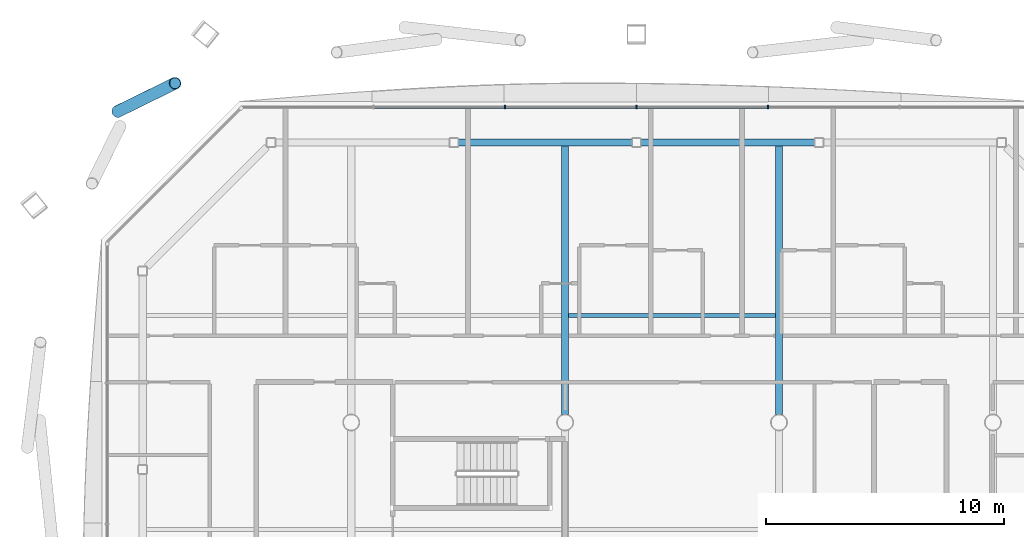
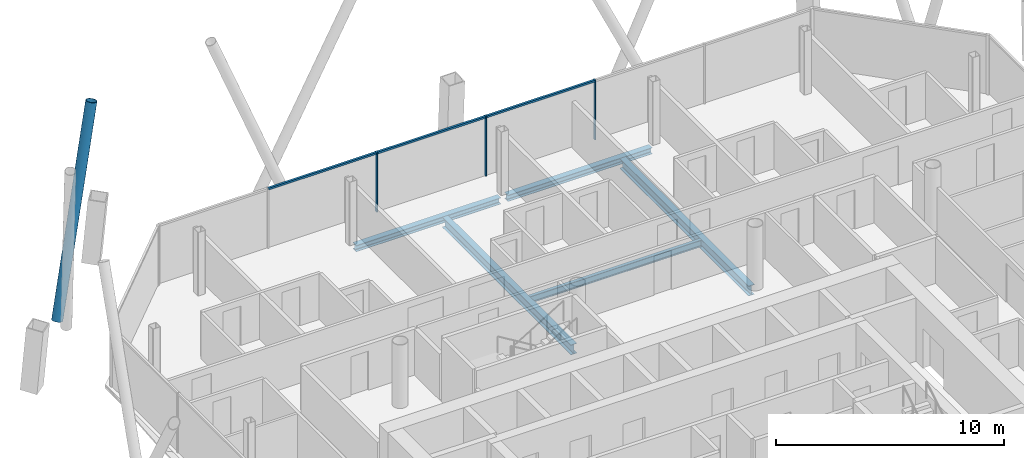
# One storey, part 10 of 23: 7 members, 5 beams, 1 element without a shape of its own.
"""IFC4 building model written with IfcOpenShell, lengths in metres."""

from ifc_helpers import new_model, si_unit, direction, frame, origin, origin_2d, place, context, subcontext, project, spatial, rectangle, hollow_circle, i_section, extrude, material, material_profile, profile_set, type_object, element, aggregate, save


model = new_model("IFC4")

# Units and contexts
model_context = context("Model", 3, precision=1e-05, world=origin(), true_north=direction((0.0, 1.0)))
body_context = subcontext(model_context, "Body", "Model", "MODEL_VIEW")
ifc_project = project(units=[si_unit("LENGTHUNIT", "METRE"), si_unit("AREAUNIT", "SQUARE_METRE"), si_unit("VOLUMEUNIT", "CUBIC_METRE"), si_unit("PLANEANGLEUNIT", "RADIAN"), si_unit("MASSUNIT", "GRAM", prefix="KILO")], contexts=[model_context])

# Site, building, storey
site_placement = place(None, origin())
site = spatial("IfcSite", under=ifc_project, at=site_placement, CompositionType="ELEMENT")
building_placement = place(site_placement, origin())
building = spatial("IfcBuilding", under=site, at=building_placement, Name="Tskaro Facet Tower", CompositionType="ELEMENT")
storey_placement = place(building_placement, frame((0.0, 0.0, 141.89990234375)))
storey = spatial("IfcBuildingStorey", under=building, at=storey_placement, Name="L34", CompositionType="ELEMENT", Elevation=141.89990234375)

# Member
ifc_material_1 = material(Name="Steel S355J2H", Category="steel")
ifc_material_profile_1 = material_profile(ifc_material_1, hollow_circle(Radius=0.25390625, WallThickness=0.02490234375, at=origin_2d()), Name="CHS 508x25")
ifc_profile_set_1 = profile_set([ifc_material_profile_1], Name="Steel S355J2H")
member_type_1 = type_object("IfcMemberType", Name="CHS 508x25 brace", PredefinedType="BRACE", material=ifc_profile_set_1)
member_1_placement = place(storey_placement, frame((-18.822509765625, 22.086669921875, 0.0), z_axis=(0.228652669016, 0.112277973216, 0.96701169263), x_axis=(-0.440769035612, 0.897620553043, 0.0)))
element("IfcMember", 1, at=member_1_placement, inside=storey, type_object=member_type_1, Name="CHS 508x25 XB09B/3", PredefinedType="BRACE", context=body_context, shape_type="SweptSolid", body=[
    extrude(hollow_circle(Radius=0.25390625, WallThickness=0.02490234375, at=origin_2d()), origin(), (0.0, 0.0, 1.0), 10.548095703125),
])

# Curtain wall, members
ifc_material_2 = material(Name="Bronze anodised aluminium 6063-T6", Category="aluminium")
curtain_wall_type = type_object("IfcCurtainWallType", Name="Bronze hotel curtain wall (FW2)", PredefinedType="NOTDEFINED", material=ifc_material_2)
curtain_wall_placement = place(storey_placement, origin())
curtain_wall = element("IfcCurtainWall", 2, at=curtain_wall_placement, inside=storey, type_object=curtain_wall_type, Name="FW2 north facet L34", PredefinedType="NOTDEFINED")
ifc_material_profile_2 = material_profile(ifc_material_2, rectangle(XDim=0.06005859375, YDim=0.14990234375, at=origin_2d()), Name="Mullion 60x150")
ifc_profile_set_2 = profile_set([ifc_material_profile_2], Name="Bronze anodised aluminium 6063-T6")
member_type_2 = type_object("IfcMemberType", Name="FW2 bronze mullion 60x150", PredefinedType="MULLION", material=ifc_profile_set_2)
member_2_placement = place(storey_placement, frame((8.53076171875, 22.27197265625, 0.0), z_axis=(0.0, 0.0, 1.0), x_axis=(-1.0, 0.0, 0.0)))
member_2 = element("IfcMember", 3, at=member_2_placement, type_object=member_type_2, Name="FW2 north mullion 2", PredefinedType="MULLION", context=body_context, shape_type="SweptSolid", body=[
    extrude(rectangle(XDim=0.06005859375, YDim=0.14990234375, at=origin_2d()), origin(), (0.0, 0.0, 1.0), 3.2001953125),
])
member_3_placement = place(storey_placement, frame((3.0, 22.27197265625, 0.0), z_axis=(0.0, 0.0, 1.0), x_axis=(-1.0, 0.0, 0.0)))
member_3 = element("IfcMember", 4, at=member_3_placement, type_object=member_type_2, Name="FW2 north mullion 3", PredefinedType="MULLION", context=body_context, shape_type="SweptSolid", body=[
    extrude(rectangle(XDim=0.06005859375, YDim=0.14990234375, at=origin_2d()), origin(), (0.0, 0.0, 1.0), 3.2001953125),
])
member_4_placement = place(storey_placement, frame((-2.53076171875, 22.27197265625, 0.0), z_axis=(0.0, 0.0, 1.0), x_axis=(-1.0, 0.0, 0.0)))
member_4 = element("IfcMember", 5, at=member_4_placement, type_object=member_type_2, Name="FW2 north mullion 4", PredefinedType="MULLION", context=body_context, shape_type="SweptSolid", body=[
    extrude(rectangle(XDim=0.06005859375, YDim=0.14990234375, at=origin_2d()), origin(), (0.0, 0.0, 1.0), 3.2001953125),
])
ifc_material_profile_3 = material_profile(ifc_material_2, rectangle(XDim=0.110107421875, YDim=0.10009765625, at=origin_2d()), Name="Transom 110x100")
ifc_profile_set_3 = profile_set([ifc_material_profile_3], Name="Bronze anodised aluminium 6063-T6")
member_type_3 = type_object("IfcMemberType", Name="FW2 bronze transom 110x100", PredefinedType="USERDEFINED", material=ifc_profile_set_3)
member_5_placement = place(storey_placement, frame((8.500732421875, 22.27197265625, 3.150146484375), z_axis=(-1.0, 0.0, 0.0), x_axis=(0.0, -1.0, 0.0)))
member_5 = element("IfcMember", 6, at=member_5_placement, type_object=member_type_3, Name="FW2 north transom 3.1", ObjectType="TRANSOM", PredefinedType="USERDEFINED", context=body_context, shape_type="SweptSolid", body=[
    extrude(rectangle(XDim=0.110107421875, YDim=0.10009765625, at=origin_2d()), origin(), (0.0, 0.0, 1.0), 5.470703125),
])
member_6_placement = place(storey_placement, frame((2.969970703125, 22.27197265625, 3.150146484375), z_axis=(-1.0, 0.0, 0.0), x_axis=(0.0, -1.0, 0.0)))
member_6 = element("IfcMember", 7, at=member_6_placement, type_object=member_type_3, Name="FW2 north transom 4.1", ObjectType="TRANSOM", PredefinedType="USERDEFINED", context=body_context, shape_type="SweptSolid", body=[
    extrude(rectangle(XDim=0.110107421875, YDim=0.10009765625, at=origin_2d()), origin(), (0.0, 0.0, 1.0), 5.470703125),
])
member_7_placement = place(storey_placement, frame((-2.560546875, 22.27197265625, 3.150146484375), z_axis=(-1.0, 0.0, 0.0), x_axis=(0.0, -1.0, 0.0)))
member_7 = element("IfcMember", 8, at=member_7_placement, type_object=member_type_3, Name="FW2 north transom 5.1", ObjectType="TRANSOM", PredefinedType="USERDEFINED", context=body_context, shape_type="SweptSolid", body=[
    extrude(rectangle(XDim=0.110107421875, YDim=0.10009765625, at=origin_2d()), origin(), (0.0, 0.0, 1.0), 5.470703125),
])
aggregate(curtain_wall, [member_2, member_3, member_4, member_5, member_6, member_7])

# Beams
ifc_material_3 = material(Name="Steel S355J2", Category="steel")
ifc_material_profile_4 = material_profile(ifc_material_3, i_section(OverallWidth=0.300048828125, OverallDepth=0.340087890625, WebThickness=0.011962890625, FlangeThickness=0.021484375, FilletRadius=0.027099609375, at=origin_2d()), Name="HE 340 B")
ifc_profile_set_4 = profile_set([ifc_material_profile_4], Name="Steel S355J2")
beam_type_1 = type_object("IfcBeamType", Name="HE 340 B ring beam", PredefinedType="BEAM", material=ifc_profile_set_4)
for number, where, z_axis, x_axis, name in (
    (9, (10.50390625, 20.77392578125, -0.309814453125), (-1.0, 0.0, 0.0), (0.0, -1.0, 0.0), "HE 340 B EB12-3"),
    (10, (2.820068359375, 20.77392578125, -0.309814453125), (-1.0, 0.0, 0.0), (0.0, -1.0, 0.0), "HE 340 B EB13-3"),
):
    element("IfcBeam", number, at=place(storey_placement, frame(where, z_axis=z_axis, x_axis=x_axis)), inside=storey, type_object=beam_type_1, Name=name, PredefinedType="BEAM", context=body_context, shape_type="SweptSolid", body=[
        extrude(i_section(OverallWidth=0.300048828125, OverallDepth=0.340087890625, WebThickness=0.011962890625, FlangeThickness=0.021484375, FilletRadius=0.027099609375, at=origin_2d()), origin(), (0.0, 0.0, 1.0), 7.323974609375),
    ])
ifc_material_profile_5 = material_profile(ifc_material_3, i_section(OverallWidth=0.300048828125, OverallDepth=0.5400390625, WebThickness=0.012451171875, FlangeThickness=0.02392578125, FilletRadius=0.027099609375, at=origin_2d()), Name="HE 550 A")
ifc_profile_set_5 = profile_set([ifc_material_profile_5], Name="Steel S355J2")
beam_type_2 = type_object("IfcBeamType", Name="HE 550 A long girder", PredefinedType="BEAM", material=ifc_profile_set_5)
for number, where, z_axis, x_axis, name in (
    (11, (0.0, 9.325439453125, -0.409912109375), (0.0, 1.0, 0.0), (-1.0, 0.0, 0.0), "HE 550 A LGB4-3-3"),
    (12, (9.0, 9.325439453125, -0.409912109375), (0.0, 1.0, 0.0), (-1.0, 0.0, 0.0), "HE 550 A LGB5-3-3"),
):
    element("IfcBeam", number, at=place(storey_placement, frame(where, z_axis=z_axis, x_axis=x_axis)), inside=storey, type_object=beam_type_2, Name=name, PredefinedType="BEAM", context=body_context, shape_type="SweptSolid", body=[
        extrude(i_section(OverallWidth=0.300048828125, OverallDepth=0.5400390625, WebThickness=0.012451171875, FlangeThickness=0.02392578125, FilletRadius=0.027099609375, at=origin_2d()), origin(), (0.0, 0.0, 1.0), 11.298583984375),
    ])
ifc_material_profile_6 = material_profile(ifc_material_3, i_section(OverallWidth=0.169921875, OverallDepth=0.360107421875, WebThickness=0.008056640625, FlangeThickness=0.0126953125, FilletRadius=0.01806640625, at=origin_2d()), Name="IPE 360")
ifc_profile_set_6 = profile_set([ifc_material_profile_6], Name="Steel S355J2")
beam_type_3 = type_object("IfcBeamType", Name="IPE 360 secondary beam", PredefinedType="BEAM", material=ifc_profile_set_6)
beam_placement = place(storey_placement, frame((0.14990234375, 13.5, -0.31982421875), z_axis=(1.0, 0.0, 0.0), x_axis=(0.0, 1.0, 0.0)))
element("IfcBeam", 13, at=beam_placement, inside=storey, type_object=beam_type_3, Name="IPE 360 SB5a-3-3", PredefinedType="BEAM", context=body_context, shape_type="SweptSolid", body=[
    extrude(i_section(OverallWidth=0.169921875, OverallDepth=0.360107421875, WebThickness=0.008056640625, FlangeThickness=0.0126953125, FilletRadius=0.01806640625, at=origin_2d()), origin(), (0.0, 0.0, 1.0), 8.7001953125),
])

save(model, "model.ifc")
